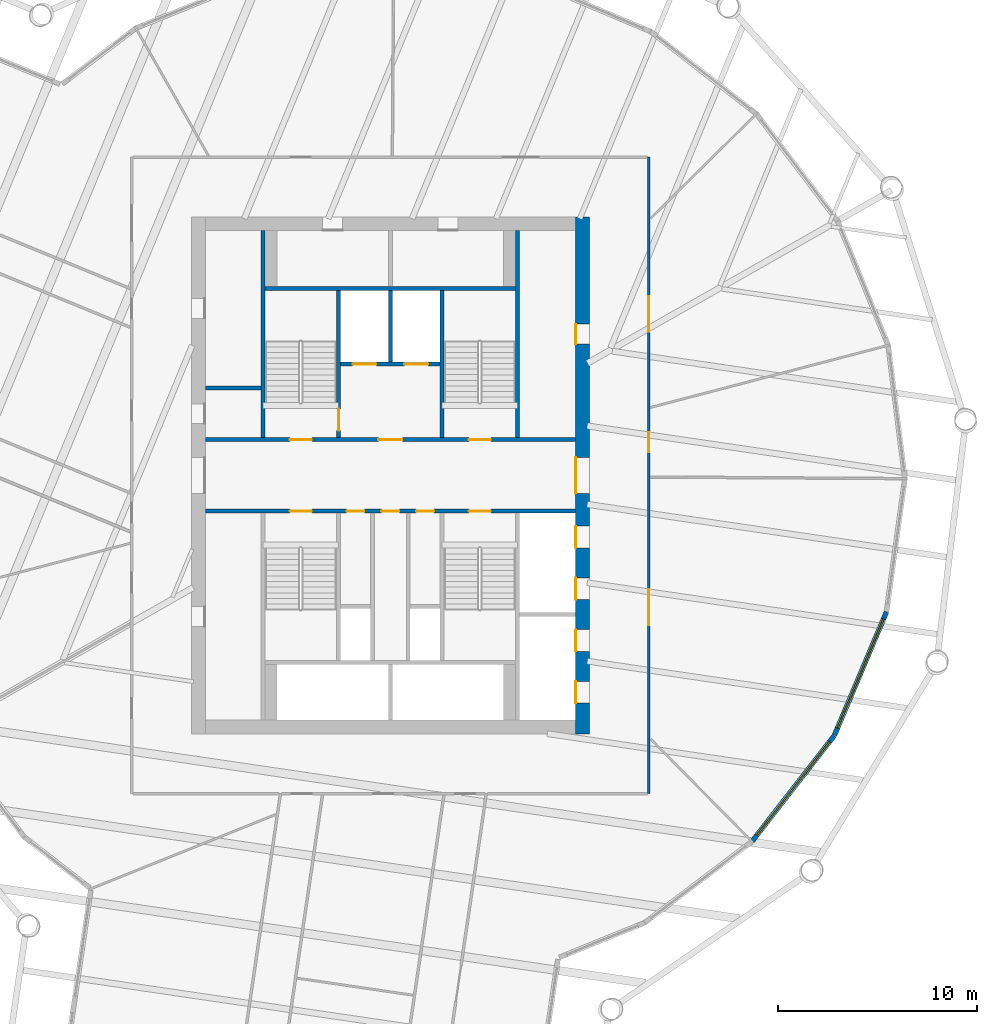
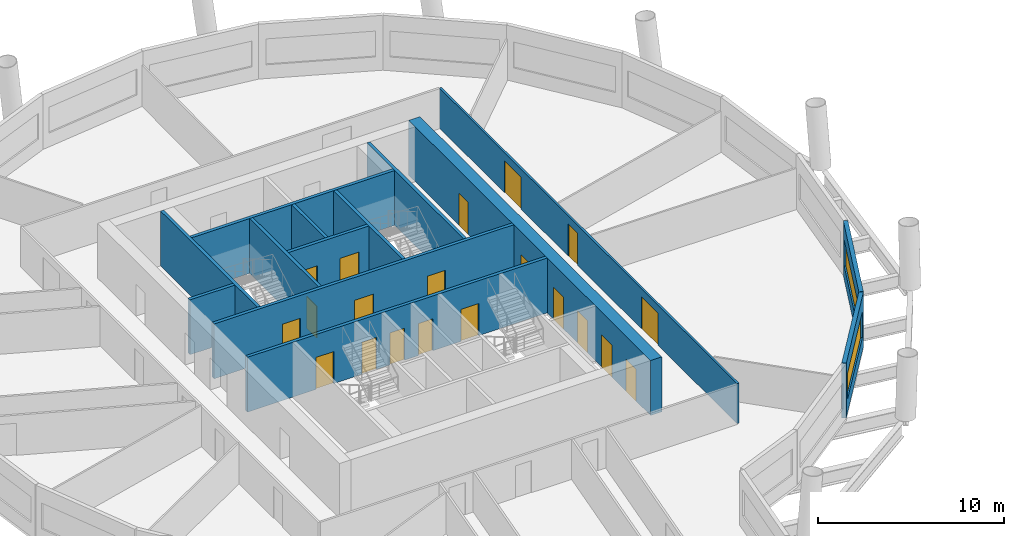
# One storey, part 5 of 11: 20 doors, 14 walls, 2 windows, 22 openings.
"""IFC4 building model written with IfcOpenShell, lengths in metres."""

from ifc_helpers import new_model, si_unit, direction, frame, frame_2d, origin, place, context, subcontext, project, spatial, rectangle, extrude, material, layer, layer_set, type_object, element, fill, save


model = new_model("IFC4")

# Units and contexts
model_context = context("Model", 3, precision=1e-05, world=origin(), true_north=direction((0.0, 1.0)))
body_context = subcontext(model_context, "Body", "Model", "MODEL_VIEW")
ifc_project = project(units=[si_unit("LENGTHUNIT", "METRE"), si_unit("AREAUNIT", "SQUARE_METRE"), si_unit("VOLUMEUNIT", "CUBIC_METRE"), si_unit("PLANEANGLEUNIT", "RADIAN"), si_unit("MASSUNIT", "GRAM", prefix="KILO")], contexts=[model_context])

# Site, building, storey
site_placement = place(None, origin())
site = spatial("IfcSite", under=ifc_project, at=site_placement, CompositionType="ELEMENT")
building_placement = place(site_placement, origin())
building = spatial("IfcBuilding", under=site, at=building_placement, Name="Tarsis Ring Headquarters", CompositionType="ELEMENT")
storey_placement = place(building_placement, frame((0.0, 0.0, 190.5)))
storey = spatial("IfcBuildingStorey", under=building, at=storey_placement, Name="L44", CompositionType="ELEMENT", Elevation=190.5)

# Wall
ifc_material_1 = material(Name="Blockwork", Category="masonry")
ifc_layer_1 = layer(ifc_material_1, 0.199951171875)
ifc_layer_set_1 = layer_set([ifc_layer_1], Name="Core blockwork wall 200")
wall_type_1 = type_object("IfcWallType", Name="Core blockwork wall 200", PredefinedType="PARTITIONING", material=ifc_layer_set_1)
wall_1_placement = place(storey_placement, frame((-9.300048828125, 4.39990234375, 0.0), z_axis=(0.0, 0.0, 1.0), x_axis=(1.0, 0.0, 0.0)))
element("IfcWall", 1, at=wall_1_placement, inside=storey, type_object=wall_type_1, Name="Core partition WD5", PredefinedType="PARTITIONING", context=body_context, shape_type="SweptSolid", body=[
    extrude(rectangle(XDim=2.800048828125, YDim=0.199951171875, at=frame_2d((1.39990234375, 0.0))), origin(), (0.0, 0.0, 1.0), 3.60009765625),
])

# Wall, openings, doors
ifc_material_2 = material(Name="Concrete C60/75", Category="concrete")
ifc_layer_2 = layer(ifc_material_2, 0.699951171875)
ifc_layer_set_2 = layer_set([ifc_layer_2], Name="Core wall 700 C60/75")
wall_type_2 = type_object("IfcWallType", Name="Core wall 700 C60/75", PredefinedType="SHEAR", material=ifc_layer_set_2)
wall_2_placement = place(storey_placement, frame((9.64990234375, -13.0, 0.0), z_axis=(0.0, 0.0, 1.0), x_axis=(0.0, 1.0, 0.0)))
wall_2 = element("IfcWall", 2, at=wall_2_placement, inside=storey, type_object=wall_type_2, Name="Core wall OE", PredefinedType="SHEAR", context=body_context, shape_type="SweptSolid", body=[
    extrude(rectangle(XDim=26.0, YDim=0.699951171875, at=frame_2d((13.0, 0.0))), origin(), (0.0, 0.0, 1.0), 3.60009765625),
])
opening_1_placement = place(wall_2_placement, frame((1.550048828125, 0.0, 0.0)))
opening_1 = element("IfcOpeningElement", 3, at=opening_1_placement, cuts=wall_2, Name="Opening LD-MR1", PredefinedType="OPENING", context=body_context, shape_type="SweptSolid", body=[
    extrude(rectangle(XDim=1.10009765625, YDim=2.10009765625, at=frame_2d((0.550048828125, 1.050048828125))), frame((0.0, 0.35986328125, 0.0), z_axis=(0.0, -1.0, 0.0), x_axis=(1.0, 0.0, 0.0)), (0.0, 0.0, 1.0), 0.719970703125),
])
opening_2_placement = place(wall_2_placement, frame((4.14990234375, 0.0, 0.0)))
opening_2 = element("IfcOpeningElement", 4, at=opening_2_placement, cuts=wall_2, Name="Opening LD-MR2", PredefinedType="OPENING", context=body_context, shape_type="SweptSolid", body=[
    extrude(rectangle(XDim=1.10009765625, YDim=2.10009765625, at=frame_2d((0.550048828125, 1.050048828125))), frame((0.0, 0.35986328125, 0.0), z_axis=(0.0, -1.0, 0.0), x_axis=(1.0, 0.0, 0.0)), (0.0, 0.0, 1.0), 0.719970703125),
])
opening_3_placement = place(wall_2_placement, frame((6.75, 0.0, 0.0)))
opening_3 = element("IfcOpeningElement", 5, at=opening_3_placement, cuts=wall_2, Name="Opening LD-MR3", PredefinedType="OPENING", context=body_context, shape_type="SweptSolid", body=[
    extrude(rectangle(XDim=1.10009765625, YDim=2.10009765625, at=frame_2d((0.550048828125, 1.050048828125))), frame((0.0, 0.35986328125, 0.0), z_axis=(0.0, -1.0, 0.0), x_axis=(1.0, 0.0, 0.0)), (0.0, 0.0, 1.0), 0.719970703125),
])
opening_4_placement = place(wall_2_placement, frame((9.35009765625, 0.0, 0.0)))
opening_4 = element("IfcOpeningElement", 6, at=opening_4_placement, cuts=wall_2, Name="Opening LD-MR4", PredefinedType="OPENING", context=body_context, shape_type="SweptSolid", body=[
    extrude(rectangle(XDim=1.10009765625, YDim=2.10009765625, at=frame_2d((0.550048828125, 1.050048828125))), frame((0.0, 0.35986328125, 0.0), z_axis=(0.0, -1.0, 0.0), x_axis=(1.0, 0.0, 0.0)), (0.0, 0.0, 1.0), 0.719970703125),
])
opening_5_placement = place(wall_2_placement, frame((12.10009765625, 0.0, 0.0)))
opening_5 = element("IfcOpeningElement", 7, at=opening_5_placement, cuts=wall_2, Name="Opening L44-C09", PredefinedType="OPENING", context=body_context, shape_type="SweptSolid", body=[
    extrude(rectangle(XDim=1.800048828125, YDim=2.10009765625, at=frame_2d((0.89990234375, 1.050048828125))), frame((0.0, 0.35986328125, 0.0), z_axis=(0.0, -1.0, 0.0), x_axis=(1.0, 0.0, 0.0)), (0.0, 0.0, 1.0), 0.719970703125),
])
opening_6_placement = place(wall_2_placement, frame((19.60009765625, 0.0, 0.0)))
opening_6 = element("IfcOpeningElement", 8, at=opening_6_placement, cuts=wall_2, Name="Opening L44-C10", PredefinedType="OPENING", context=body_context, shape_type="SweptSolid", body=[
    extrude(rectangle(XDim=1.0, YDim=2.10009765625, at=frame_2d((0.5, 1.050048828125))), frame((0.0, 0.35986328125, 0.0), z_axis=(0.0, -1.0, 0.0), x_axis=(1.0, 0.0, 0.0)), (0.0, 0.0, 1.0), 0.719970703125),
])
ifc_material_3 = material(Name="Steel S355", Category="steel")
door_type_1 = type_object("IfcDoorType", Name="Core entry door 1800x2100", OperationType="DOUBLE_DOOR_SINGLE_SWING", PredefinedType="DOOR", material=ifc_material_3)
door_1_placement = place(opening_5_placement, origin())
door_1 = element("IfcDoor", 9, at=door_1_placement, inside=storey, type_object=door_type_1, Name="Core entry door L44", OperationType="DOUBLE_DOOR_SINGLE_SWING", OverallHeight=2.10009765625, OverallWidth=1.800048828125, PredefinedType="DOOR", context=body_context, shape_type="SweptSolid", body=[
    extrude(rectangle(XDim=1.800048828125, YDim=2.10009765625, at=frame_2d((0.89990234375, 1.050048828125))), frame((0.0, 0.35009765625, 0.0), z_axis=(0.0, -1.0, 0.0), x_axis=(1.0, 0.0, 0.0)), (0.0, 0.0, 1.0), 0.050048828125),
])
fill(opening_5, door_1)
door_type_2 = type_object("IfcDoorType", Name="Core room door 1000x2100", OperationType="SINGLE_SWING_LEFT", PredefinedType="DOOR", material=ifc_material_3)
door_2_placement = place(opening_6_placement, origin())
door_2 = element("IfcDoor", 10, at=door_2_placement, inside=storey, type_object=door_type_2, Name="Core room door L44", OperationType="SINGLE_SWING_LEFT", OverallHeight=2.10009765625, OverallWidth=1.0, PredefinedType="DOOR", context=body_context, shape_type="SweptSolid", body=[
    extrude(rectangle(XDim=1.0, YDim=2.10009765625, at=frame_2d((0.5, 1.050048828125))), frame((0.0, 0.35009765625, 0.0), z_axis=(0.0, -1.0, 0.0), x_axis=(1.0, 0.0, 0.0)), (0.0, 0.0, 1.0), 0.050048828125),
])
fill(opening_6, door_2)
door_type_3 = type_object("IfcDoorType", Name="Landing door 1100x2100", OperationType="SLIDING_TO_LEFT", PredefinedType="DOOR", material=ifc_material_3)
door_3_placement = place(opening_1_placement, origin())
door_3 = element("IfcDoor", 11, at=door_3_placement, inside=storey, type_object=door_type_3, Name="Landing door MR1 L44", OperationType="SLIDING_TO_LEFT", OverallHeight=2.10009765625, OverallWidth=1.10009765625, PredefinedType="DOOR", context=body_context, shape_type="SweptSolid", body=[
    extrude(rectangle(XDim=1.10009765625, YDim=2.10009765625, at=frame_2d((0.550048828125, 1.050048828125))), frame((0.0, 0.35009765625, 0.0), z_axis=(0.0, -1.0, 0.0), x_axis=(1.0, 0.0, 0.0)), (0.0, 0.0, 1.0), 0.050048828125),
])
fill(opening_1, door_3)
door_4_placement = place(opening_2_placement, origin())
door_4 = element("IfcDoor", 12, at=door_4_placement, inside=storey, type_object=door_type_3, Name="Landing door MR2 L44", OperationType="SLIDING_TO_LEFT", OverallHeight=2.10009765625, OverallWidth=1.10009765625, PredefinedType="DOOR", context=body_context, shape_type="SweptSolid", body=[
    extrude(rectangle(XDim=1.10009765625, YDim=2.10009765625, at=frame_2d((0.550048828125, 1.050048828125))), frame((0.0, 0.35009765625, 0.0), z_axis=(0.0, -1.0, 0.0), x_axis=(1.0, 0.0, 0.0)), (0.0, 0.0, 1.0), 0.050048828125),
])
fill(opening_2, door_4)
door_5_placement = place(opening_3_placement, origin())
door_5 = element("IfcDoor", 13, at=door_5_placement, inside=storey, type_object=door_type_3, Name="Landing door MR3 L44", OperationType="SLIDING_TO_LEFT", OverallHeight=2.10009765625, OverallWidth=1.10009765625, PredefinedType="DOOR", context=body_context, shape_type="SweptSolid", body=[
    extrude(rectangle(XDim=1.10009765625, YDim=2.10009765625, at=frame_2d((0.550048828125, 1.050048828125))), frame((0.0, 0.35009765625, 0.0), z_axis=(0.0, -1.0, 0.0), x_axis=(1.0, 0.0, 0.0)), (0.0, 0.0, 1.0), 0.050048828125),
])
fill(opening_3, door_5)
door_6_placement = place(opening_4_placement, origin())
door_6 = element("IfcDoor", 14, at=door_6_placement, inside=storey, type_object=door_type_3, Name="Landing door MR4 L44", OperationType="SLIDING_TO_LEFT", OverallHeight=2.10009765625, OverallWidth=1.10009765625, PredefinedType="DOOR", context=body_context, shape_type="SweptSolid", body=[
    extrude(rectangle(XDim=1.10009765625, YDim=2.10009765625, at=frame_2d((0.550048828125, 1.050048828125))), frame((0.0, 0.35009765625, 0.0), z_axis=(0.0, -1.0, 0.0), x_axis=(1.0, 0.0, 0.0)), (0.0, 0.0, 1.0), 0.050048828125),
])
fill(opening_4, door_6)

ifc_material_4 = material(Name="Gypsum board on steel studs", Category="steel")
ifc_layer_3 = layer(ifc_material_4, 0.125)
ifc_layer_set_3 = layer_set([ifc_layer_3], Name="FL partition 125 EI 60 H2630")
wall_type_3 = type_object("IfcWallType", Name="FL partition 125 EI 60 H2630", PredefinedType="PARTITIONING", material=ifc_layer_set_3)
wall_3_placement = place(storey_placement, frame((13.0, -15.998046875, 0.0), z_axis=(0.0, 0.0, 1.0), x_axis=(0.0, 1.0, 0.0)))
wall_3 = element("IfcWall", 15, at=wall_3_placement, inside=storey, type_object=wall_type_3, Name="Partition PW1H263", PredefinedType="PARTITIONING", context=body_context, shape_type="SweptSolid", body=[
    extrude(rectangle(XDim=31.998046875, YDim=0.125, at=frame_2d((15.9990234375, 0.0))), origin(), (0.0, 0.0, 1.0), 2.6298828125),
])
opening_7_placement = place(wall_3_placement, frame((23.21484375, 0.0, 0.0)))
opening_7 = element("IfcOpeningElement", 16, at=opening_7_placement, cuts=wall_3, Name="Opening D44.06", PredefinedType="OPENING", context=body_context, shape_type="SweptSolid", body=[
    extrude(rectangle(XDim=1.800048828125, YDim=2.10009765625, at=frame_2d((0.89990234375, 1.050048828125))), frame((0.0, 0.072509765625, 0.0), z_axis=(0.0, -1.0, 0.0), x_axis=(1.0, 0.0, 0.0)), (0.0, 0.0, 1.0), 0.14501953125),
])
opening_8_placement = place(wall_3_placement, frame((17.155029296875, 0.0, 0.0)))
opening_8 = element("IfcOpeningElement", 17, at=opening_8_placement, cuts=wall_3, Name="Opening D44.07", PredefinedType="OPENING", context=body_context, shape_type="SweptSolid", body=[
    extrude(rectangle(XDim=1.0, YDim=2.10009765625, at=frame_2d((0.5, 1.050048828125))), frame((0.0, 0.072509765625, 0.0), z_axis=(0.0, -1.0, 0.0), x_axis=(1.0, 0.0, 0.0)), (0.0, 0.0, 1.0), 0.14501953125),
])
opening_9_placement = place(wall_3_placement, frame((8.47509765625, 0.0, 0.0)))
opening_9 = element("IfcOpeningElement", 18, at=opening_9_placement, cuts=wall_3, Name="Opening D44.08", PredefinedType="OPENING", context=body_context, shape_type="SweptSolid", body=[
    extrude(rectangle(XDim=1.800048828125, YDim=2.10009765625, at=frame_2d((0.89990234375, 1.050048828125))), frame((0.0, 0.072509765625, 0.0), z_axis=(0.0, -1.0, 0.0), x_axis=(1.0, 0.0, 0.0)), (0.0, 0.0, 1.0), 0.14501953125),
])
ifc_material_5 = material(Name="Fire-rated timber door leaf in steel frame", Category="steel")
door_type_4 = type_object("IfcDoorType", Name="FL door FD60-1000", OperationType="NOTDEFINED", PredefinedType="DOOR", material=ifc_material_5)
door_7_placement = place(opening_8_placement, origin())
door_7 = element("IfcDoor", 19, at=door_7_placement, inside=storey, type_object=door_type_4, Name="Door D44.07", OperationType="SINGLE_SWING_LEFT", OverallHeight=2.10009765625, OverallWidth=1.0, PredefinedType="DOOR", context=body_context, shape_type="SweptSolid", body=[
    extrude(rectangle(XDim=1.0, YDim=2.10009765625, at=frame_2d((0.5, 1.050048828125))), frame((0.0, 0.02490234375, 0.0), z_axis=(0.0, -1.0, 0.0), x_axis=(1.0, 0.0, 0.0)), (0.0, 0.0, 1.0), 0.050048828125),
])
fill(opening_8, door_7)
door_type_5 = type_object("IfcDoorType", Name="FL door FD60-1800", OperationType="DOUBLE_DOOR_SINGLE_SWING", PredefinedType="DOOR", material=ifc_material_5)
door_8_placement = place(opening_7_placement, origin())
door_8 = element("IfcDoor", 20, at=door_8_placement, inside=storey, type_object=door_type_5, Name="Door D44.06", OperationType="DOUBLE_DOOR_SINGLE_SWING", OverallHeight=2.10009765625, OverallWidth=1.800048828125, PredefinedType="DOOR", context=body_context, shape_type="SweptSolid", body=[
    extrude(rectangle(XDim=1.800048828125, YDim=2.10009765625, at=frame_2d((0.89990234375, 1.050048828125))), frame((0.0, 0.02490234375, 0.0), z_axis=(0.0, -1.0, 0.0), x_axis=(1.0, 0.0, 0.0)), (0.0, 0.0, 1.0), 0.050048828125),
])
fill(opening_7, door_8)
door_9_placement = place(opening_9_placement, origin())
door_9 = element("IfcDoor", 21, at=door_9_placement, inside=storey, type_object=door_type_5, Name="Door D44.08", OperationType="DOUBLE_DOOR_SINGLE_SWING", OverallHeight=2.10009765625, OverallWidth=1.800048828125, PredefinedType="DOOR", context=body_context, shape_type="SweptSolid", body=[
    extrude(rectangle(XDim=1.800048828125, YDim=2.10009765625, at=frame_2d((0.89990234375, 1.050048828125))), frame((0.0, 0.02490234375, 0.0), z_axis=(0.0, -1.0, 0.0), x_axis=(1.0, 0.0, 0.0)), (0.0, 0.0, 1.0), 0.050048828125),
])
fill(opening_9, door_9)

# Wall, opening, window
ifc_material_6 = material(Name="Terracotta clad insulated panel wall", Category="masonry")
ifc_layer_4 = layer(ifc_material_6, 0.25)
ifc_layer_set_4 = layer_set([ifc_layer_4], Name="Facade wall terracotta panel 250")
wall_type_4 = type_object("IfcWallType", Name="Facade wall terracotta panel 250", PredefinedType="STANDARD", material=ifc_layer_set_4)
wall_4_placement = place(storey_placement, frame((18.1904296875, -18.397216796875, 0.0), z_axis=(0.0, 0.0, 1.0), x_axis=(0.613741937725, 0.78950670287, 0.0)))
wall_4 = element("IfcWall", 22, at=wall_4_placement, inside=storey, type_object=wall_type_4, Name="External wall L44-19", PredefinedType="STANDARD", context=body_context, shape_type="SweptSolid", body=[
    extrude(rectangle(XDim=6.721435546875, YDim=0.25, at=frame_2d((3.36083984375, 0.0))), origin(), (0.0, 0.0, 1.0), 3.60009765625),
])
opening_10_placement = place(wall_4_placement, frame((0.3857421875, 0.0, 0.89990234375)))
opening_10 = element("IfcOpeningElement", 23, at=opening_10_placement, cuts=wall_4, Name="Opening WN07", PredefinedType="OPENING", context=body_context, shape_type="SweptSolid", body=[
    extrude(rectangle(XDim=5.949951171875, YDim=1.699951171875, at=frame_2d((2.97509765625, 0.85009765625))), frame((0.0, 0.135009765625, 0.0), z_axis=(0.0, -1.0, 0.0), x_axis=(1.0, 0.0, 0.0)), (0.0, 0.0, 1.0), 0.27001953125),
])
ifc_material_7 = material(Name="Aluminium framed double glazing", Category="aluminium")
window_type = type_object("IfcWindowType", Name="Facade window 5950 x 1700", PartitioningType="SINGLE_PANEL", PredefinedType="WINDOW", material=ifc_material_7)
window_1_placement = place(opening_10_placement, origin())
window_1 = element("IfcWindow", 24, at=window_1_placement, inside=storey, type_object=window_type, Name="Window L44-19.1", OverallHeight=1.699951171875, OverallWidth=5.949951171875, PartitioningType="SINGLE_PANEL", PredefinedType="WINDOW", context=body_context, shape_type="SweptSolid", body=[
    extrude(rectangle(XDim=5.949951171875, YDim=1.699951171875, at=frame_2d((2.97509765625, 0.85009765625))), frame((0.0, 0.030029296875, 0.0), z_axis=(0.0, -1.0, 0.0), x_axis=(1.0, 0.0, 0.0)), (0.0, 0.0, 1.0), 0.06005859375),
])
fill(opening_10, window_1)

wall_5_placement = place(storey_placement, frame((22.33203125, -13.062255859375, 0.0), z_axis=(0.0, 0.0, 1.0), x_axis=(0.388498629332, 0.921449301376, 0.0)))
wall_5 = element("IfcWall", 25, at=wall_5_placement, inside=storey, type_object=wall_type_4, Name="External wall L44-20", PredefinedType="STANDARD", context=body_context, shape_type="SweptSolid", body=[
    extrude(rectangle(XDim=6.7216796875, YDim=0.25, at=frame_2d((3.36083984375, 0.0))), origin(), (0.0, 0.0, 1.0), 3.60009765625),
])
opening_11_placement = place(wall_5_placement, frame((0.3857421875, 0.0, 0.89990234375)))
opening_11 = element("IfcOpeningElement", 26, at=opening_11_placement, cuts=wall_5, Name="Opening WN07", PredefinedType="OPENING", context=body_context, shape_type="SweptSolid", body=[
    extrude(rectangle(XDim=5.949951171875, YDim=1.699951171875, at=frame_2d((2.97509765625, 0.85009765625))), frame((0.0, 0.135009765625, 0.0), z_axis=(0.0, -1.0, 0.0), x_axis=(1.0, 0.0, 0.0)), (0.0, 0.0, 1.0), 0.27001953125),
])
window_2_placement = place(opening_11_placement, origin())
window_2 = element("IfcWindow", 27, at=window_2_placement, inside=storey, type_object=window_type, Name="Window L44-20.1", OverallHeight=1.699951171875, OverallWidth=5.949951171875, PartitioningType="SINGLE_PANEL", PredefinedType="WINDOW", context=body_context, shape_type="SweptSolid", body=[
    extrude(rectangle(XDim=5.949951171875, YDim=1.699951171875, at=frame_2d((2.97509765625, 0.85009765625))), frame((0.0, 0.030029296875, 0.0), z_axis=(0.0, -1.0, 0.0), x_axis=(1.0, 0.0, 0.0)), (0.0, 0.0, 1.0), 0.06005859375),
])
fill(opening_11, window_2)

# Wall, openings, doors
ifc_material_8 = material(Name="Concrete C32/40", Category="concrete")
ifc_layer_5 = layer(ifc_material_8, 0.199951171875)
ifc_layer_set_5 = layer_set([ifc_layer_5], Name="Shaft wall 200 C32/40")
wall_type_5 = type_object("IfcWallType", Name="Shaft wall 200 C32/40", PredefinedType="SOLIDWALL", material=ifc_layer_set_5)
wall_6_placement = place(storey_placement, frame((-9.300048828125, 1.800048828125, 0.0), z_axis=(0.0, 0.0, 1.0), x_axis=(1.0, 0.0, 0.0)))
wall_6 = element("IfcWall", 28, at=wall_6_placement, inside=storey, type_object=wall_type_5, Name="Core shaft wall CN", PredefinedType="SOLIDWALL", context=body_context, shape_type="SweptSolid", body=[
    extrude(rectangle(XDim=18.60009765625, YDim=0.199951171875, at=frame_2d((9.300048828125, 0.0))), origin(), (0.0, 0.0, 1.0), 3.60009765625),
])
opening_12_placement = place(wall_6_placement, frame((4.25, 0.0, 0.0)))
opening_12 = element("IfcOpeningElement", 29, at=opening_12_placement, cuts=wall_6, Name="Opening L44-C13", PredefinedType="OPENING", context=body_context, shape_type="SweptSolid", body=[
    extrude(rectangle(XDim=1.10009765625, YDim=2.10009765625, at=frame_2d((0.550048828125, 1.050048828125))), frame((0.0, 0.10986328125, 0.0), z_axis=(0.0, -1.0, 0.0), x_axis=(1.0, 0.0, 0.0)), (0.0, 0.0, 1.0), 0.219970703125),
])
opening_13_placement = place(wall_6_placement, frame((8.699951171875, 0.0, 0.0)))
opening_13 = element("IfcOpeningElement", 30, at=opening_13_placement, cuts=wall_6, Name="Opening L44-C14", PredefinedType="OPENING", context=body_context, shape_type="SweptSolid", body=[
    extrude(rectangle(XDim=1.199951171875, YDim=2.10009765625, at=frame_2d((0.60009765625, 1.050048828125))), frame((0.0, 0.10986328125, 0.0), z_axis=(0.0, -1.0, 0.0), x_axis=(1.0, 0.0, 0.0)), (0.0, 0.0, 1.0), 0.219970703125),
])
opening_14_placement = place(wall_6_placement, frame((13.25, 0.0, 0.0)))
opening_14 = element("IfcOpeningElement", 31, at=opening_14_placement, cuts=wall_6, Name="Opening L44-C15", PredefinedType="OPENING", context=body_context, shape_type="SweptSolid", body=[
    extrude(rectangle(XDim=1.10009765625, YDim=2.10009765625, at=frame_2d((0.550048828125, 1.050048828125))), frame((0.0, 0.10986328125, 0.0), z_axis=(0.0, -1.0, 0.0), x_axis=(1.0, 0.0, 0.0)), (0.0, 0.0, 1.0), 0.219970703125),
])
door_type_6 = type_object("IfcDoorType", Name="Firefighting lobby door 1200x2100", OperationType="DOUBLE_DOOR_SINGLE_SWING", PredefinedType="DOOR", material=ifc_material_3)
door_10_placement = place(opening_13_placement, origin())
door_10 = element("IfcDoor", 32, at=door_10_placement, inside=storey, type_object=door_type_6, Name="Firefighting lobby door L44", OperationType="DOUBLE_DOOR_SINGLE_SWING", OverallHeight=2.10009765625, OverallWidth=1.199951171875, PredefinedType="DOOR", context=body_context, shape_type="SweptSolid", body=[
    extrude(rectangle(XDim=1.199951171875, YDim=2.10009765625, at=frame_2d((0.60009765625, 1.050048828125))), frame((0.0, 0.02490234375, 0.0), z_axis=(0.0, -1.0, 0.0), x_axis=(1.0, 0.0, 0.0)), (0.0, 0.0, 1.0), 0.050048828125),
])
fill(opening_13, door_10)
door_type_7 = type_object("IfcDoorType", Name="Stair door 1100x2100", OperationType="SINGLE_SWING_LEFT", PredefinedType="DOOR", material=ifc_material_3)
door_11_placement = place(opening_12_placement, origin())
door_11 = element("IfcDoor", 33, at=door_11_placement, inside=storey, type_object=door_type_7, Name="Stair door L44", OperationType="SINGLE_SWING_LEFT", OverallHeight=2.10009765625, OverallWidth=1.10009765625, PredefinedType="DOOR", context=body_context, shape_type="SweptSolid", body=[
    extrude(rectangle(XDim=1.10009765625, YDim=2.10009765625, at=frame_2d((0.550048828125, 1.050048828125))), frame((0.0, 0.02490234375, 0.0), z_axis=(0.0, -1.0, 0.0), x_axis=(1.0, 0.0, 0.0)), (0.0, 0.0, 1.0), 0.050048828125),
])
fill(opening_12, door_11)
door_12_placement = place(opening_14_placement, origin())
door_12 = element("IfcDoor", 34, at=door_12_placement, inside=storey, type_object=door_type_7, Name="Stair door L44", OperationType="SINGLE_SWING_LEFT", OverallHeight=2.10009765625, OverallWidth=1.10009765625, PredefinedType="DOOR", context=body_context, shape_type="SweptSolid", body=[
    extrude(rectangle(XDim=1.10009765625, YDim=2.10009765625, at=frame_2d((0.550048828125, 1.050048828125))), frame((0.0, 0.02490234375, 0.0), z_axis=(0.0, -1.0, 0.0), x_axis=(1.0, 0.0, 0.0)), (0.0, 0.0, 1.0), 0.050048828125),
])
fill(opening_14, door_12)

wall_7_placement = place(storey_placement, frame((-9.300048828125, -1.800048828125, 0.0), z_axis=(0.0, 0.0, 1.0), x_axis=(1.0, 0.0, 0.0)))
wall_7 = element("IfcWall", 35, at=wall_7_placement, inside=storey, type_object=wall_type_5, Name="Core shaft wall CS", PredefinedType="SOLIDWALL", context=body_context, shape_type="SweptSolid", body=[
    extrude(rectangle(XDim=18.60009765625, YDim=0.199951171875, at=frame_2d((9.300048828125, 0.0))), origin(), (0.0, 0.0, 1.0), 3.60009765625),
])
opening_15_placement = place(wall_7_placement, frame((4.25, 0.0, 0.0)))
opening_15 = element("IfcOpeningElement", 36, at=opening_15_placement, cuts=wall_7, Name="Opening L44-C16", PredefinedType="OPENING", context=body_context, shape_type="SweptSolid", body=[
    extrude(rectangle(XDim=1.10009765625, YDim=2.10009765625, at=frame_2d((0.550048828125, 1.050048828125))), frame((0.0, 0.10986328125, 0.0), z_axis=(0.0, -1.0, 0.0), x_axis=(1.0, 0.0, 0.0)), (0.0, 0.0, 1.0), 0.219970703125),
])
opening_16_placement = place(wall_7_placement, frame((7.10009765625, 0.0, 0.0)))
opening_16 = element("IfcOpeningElement", 37, at=opening_16_placement, cuts=wall_7, Name="Opening L44-C17", PredefinedType="OPENING", context=body_context, shape_type="SweptSolid", body=[
    extrude(rectangle(XDim=0.89990234375, YDim=2.10009765625, at=frame_2d((0.449951171875, 1.050048828125))), frame((0.0, 0.10986328125, 0.0), z_axis=(0.0, -1.0, 0.0), x_axis=(1.0, 0.0, 0.0)), (0.0, 0.0, 1.0), 0.219970703125),
])
opening_17_placement = place(wall_7_placement, frame((8.85009765625, 0.0, 0.0)))
opening_17 = element("IfcOpeningElement", 38, at=opening_17_placement, cuts=wall_7, Name="Opening L44-C18", PredefinedType="OPENING", context=body_context, shape_type="SweptSolid", body=[
    extrude(rectangle(XDim=0.89990234375, YDim=2.10009765625, at=frame_2d((0.449951171875, 1.050048828125))), frame((0.0, 0.10986328125, 0.0), z_axis=(0.0, -1.0, 0.0), x_axis=(1.0, 0.0, 0.0)), (0.0, 0.0, 1.0), 0.219970703125),
])
opening_18_placement = place(wall_7_placement, frame((10.60009765625, 0.0, 0.0)))
opening_18 = element("IfcOpeningElement", 39, at=opening_18_placement, cuts=wall_7, Name="Opening L44-C19", PredefinedType="OPENING", context=body_context, shape_type="SweptSolid", body=[
    extrude(rectangle(XDim=0.89990234375, YDim=2.10009765625, at=frame_2d((0.449951171875, 1.050048828125))), frame((0.0, 0.10986328125, 0.0), z_axis=(0.0, -1.0, 0.0), x_axis=(1.0, 0.0, 0.0)), (0.0, 0.0, 1.0), 0.219970703125),
])
opening_19_placement = place(wall_7_placement, frame((13.25, 0.0, 0.0)))
opening_19 = element("IfcOpeningElement", 40, at=opening_19_placement, cuts=wall_7, Name="Opening L44-C20", PredefinedType="OPENING", context=body_context, shape_type="SweptSolid", body=[
    extrude(rectangle(XDim=1.10009765625, YDim=2.10009765625, at=frame_2d((0.550048828125, 1.050048828125))), frame((0.0, 0.10986328125, 0.0), z_axis=(0.0, -1.0, 0.0), x_axis=(1.0, 0.0, 0.0)), (0.0, 0.0, 1.0), 0.219970703125),
])
door_13_placement = place(opening_15_placement, origin())
door_13 = element("IfcDoor", 41, at=door_13_placement, inside=storey, type_object=door_type_7, Name="Stair door L44", OperationType="SINGLE_SWING_LEFT", OverallHeight=2.10009765625, OverallWidth=1.10009765625, PredefinedType="DOOR", context=body_context, shape_type="SweptSolid", body=[
    extrude(rectangle(XDim=1.10009765625, YDim=2.10009765625, at=frame_2d((0.550048828125, 1.050048828125))), frame((0.0, 0.02490234375, 0.0), z_axis=(0.0, -1.0, 0.0), x_axis=(1.0, 0.0, 0.0)), (0.0, 0.0, 1.0), 0.050048828125),
])
fill(opening_15, door_13)
door_14_placement = place(opening_19_placement, origin())
door_14 = element("IfcDoor", 42, at=door_14_placement, inside=storey, type_object=door_type_7, Name="Stair door L44", OperationType="SINGLE_SWING_LEFT", OverallHeight=2.10009765625, OverallWidth=1.10009765625, PredefinedType="DOOR", context=body_context, shape_type="SweptSolid", body=[
    extrude(rectangle(XDim=1.10009765625, YDim=2.10009765625, at=frame_2d((0.550048828125, 1.050048828125))), frame((0.0, 0.02490234375, 0.0), z_axis=(0.0, -1.0, 0.0), x_axis=(1.0, 0.0, 0.0)), (0.0, 0.0, 1.0), 0.050048828125),
])
fill(opening_19, door_14)
door_type_8 = type_object("IfcDoorType", Name="WC door 900x2100", OperationType="SINGLE_SWING_LEFT", PredefinedType="DOOR", material=ifc_material_3)
door_15_placement = place(opening_16_placement, origin())
door_15 = element("IfcDoor", 43, at=door_15_placement, inside=storey, type_object=door_type_8, Name="WC door L44", OperationType="SINGLE_SWING_LEFT", OverallHeight=2.10009765625, OverallWidth=0.89990234375, PredefinedType="DOOR", context=body_context, shape_type="SweptSolid", body=[
    extrude(rectangle(XDim=0.89990234375, YDim=2.10009765625, at=frame_2d((0.449951171875, 1.050048828125))), frame((0.0, 0.02490234375, 0.0), z_axis=(0.0, -1.0, 0.0), x_axis=(1.0, 0.0, 0.0)), (0.0, 0.0, 1.0), 0.050048828125),
])
fill(opening_16, door_15)
door_16_placement = place(opening_17_placement, origin())
door_16 = element("IfcDoor", 44, at=door_16_placement, inside=storey, type_object=door_type_8, Name="WC door L44", OperationType="SINGLE_SWING_LEFT", OverallHeight=2.10009765625, OverallWidth=0.89990234375, PredefinedType="DOOR", context=body_context, shape_type="SweptSolid", body=[
    extrude(rectangle(XDim=0.89990234375, YDim=2.10009765625, at=frame_2d((0.449951171875, 1.050048828125))), frame((0.0, 0.02490234375, 0.0), z_axis=(0.0, -1.0, 0.0), x_axis=(1.0, 0.0, 0.0)), (0.0, 0.0, 1.0), 0.050048828125),
])
fill(opening_17, door_16)
door_17_placement = place(opening_18_placement, origin())
door_17 = element("IfcDoor", 45, at=door_17_placement, inside=storey, type_object=door_type_8, Name="WC door L44", OperationType="SINGLE_SWING_LEFT", OverallHeight=2.10009765625, OverallWidth=0.89990234375, PredefinedType="DOOR", context=body_context, shape_type="SweptSolid", body=[
    extrude(rectangle(XDim=0.89990234375, YDim=2.10009765625, at=frame_2d((0.449951171875, 1.050048828125))), frame((0.0, 0.02490234375, 0.0), z_axis=(0.0, -1.0, 0.0), x_axis=(1.0, 0.0, 0.0)), (0.0, 0.0, 1.0), 0.050048828125),
])
fill(opening_18, door_17)

# Walls
for number, where, z_axis, x_axis, name in (
    (46, (-6.39990234375, 1.89990234375, 0.0), (0.0, 0.0, 1.0), (0.0, 1.0, 0.0), "Core shaft wall WB2"),
    (47, (6.39990234375, 1.89990234375, 0.0), (0.0, 0.0, 1.0), (0.0, 1.0, 0.0), "Core shaft wall EB2"),
):
    element("IfcWall", number, at=place(storey_placement, frame(where, z_axis=z_axis, x_axis=x_axis)), inside=storey, type_object=wall_type_5, Name=name, PredefinedType="SOLIDWALL", context=body_context, shape_type="SweptSolid", body=[
        extrude(rectangle(XDim=10.400146484375, YDim=0.199951171875, at=frame_2d((5.2001953125, 0.0))), origin(), (0.0, 0.0, 1.0), 3.60009765625),
    ])
wall_8_placement = place(storey_placement, frame((-6.300048828125, 9.39990234375, 0.0), z_axis=(0.0, 0.0, 1.0), x_axis=(1.0, 0.0, 0.0)))
element("IfcWall", 48, at=wall_8_placement, inside=storey, type_object=wall_type_5, Name="Core shaft wall NB", PredefinedType="SOLIDWALL", context=body_context, shape_type="SweptSolid", body=[
    extrude(rectangle(XDim=12.60009765625, YDim=0.199951171875, at=frame_2d((6.300048828125, 0.0))), origin(), (0.0, 0.0, 1.0), 3.60009765625),
])

# Wall, opening, door
wall_9_placement = place(storey_placement, frame((-2.60009765625, 1.89990234375, 0.0), z_axis=(0.0, 0.0, 1.0), x_axis=(0.0, 1.0, 0.0)))
wall_9 = element("IfcWall", 49, at=wall_9_placement, inside=storey, type_object=wall_type_5, Name="Core shaft wall SW1", PredefinedType="SOLIDWALL", context=body_context, shape_type="SweptSolid", body=[
    extrude(rectangle(XDim=7.400146484375, YDim=0.199951171875, at=frame_2d((3.7001953125, 0.0))), origin(), (0.0, 0.0, 1.0), 3.60009765625),
])
opening_20_placement = place(wall_9_placement, frame((0.35009765625, 0.0, 0.0)))
opening_20 = element("IfcOpeningElement", 50, at=opening_20_placement, cuts=wall_9, Name="Opening L44-C21", PredefinedType="OPENING", context=body_context, shape_type="SweptSolid", body=[
    extrude(rectangle(XDim=1.10009765625, YDim=2.10009765625, at=frame_2d((0.550048828125, 1.050048828125))), frame((0.0, 0.10986328125, 0.0), z_axis=(0.0, -1.0, 0.0), x_axis=(1.0, 0.0, 0.0)), (0.0, 0.0, 1.0), 0.219970703125),
])
door_18_placement = place(opening_20_placement, origin())
door_18 = element("IfcDoor", 51, at=door_18_placement, inside=storey, type_object=door_type_7, Name="Stair door L44", OperationType="SINGLE_SWING_LEFT", OverallHeight=2.10009765625, OverallWidth=1.10009765625, PredefinedType="DOOR", context=body_context, shape_type="SweptSolid", body=[
    extrude(rectangle(XDim=1.10009765625, YDim=2.10009765625, at=frame_2d((0.550048828125, 1.050048828125))), frame((0.0, 0.02490234375, 0.0), z_axis=(0.0, -1.0, 0.0), x_axis=(1.0, 0.0, 0.0)), (0.0, 0.0, 1.0), 0.050048828125),
])
fill(opening_20, door_18)

# Wall
wall_10_placement = place(storey_placement, frame((2.60009765625, 1.89990234375, 0.0), z_axis=(0.0, 0.0, 1.0), x_axis=(0.0, 1.0, 0.0)))
element("IfcWall", 52, at=wall_10_placement, inside=storey, type_object=wall_type_5, Name="Core shaft wall SW2", PredefinedType="SOLIDWALL", context=body_context, shape_type="SweptSolid", body=[
    extrude(rectangle(XDim=7.400146484375, YDim=0.199951171875, at=frame_2d((3.7001953125, 0.0))), origin(), (0.0, 0.0, 1.0), 3.60009765625),
])

# Wall, openings, doors
wall_11_placement = place(storey_placement, frame((-2.5, 5.60009765625, 0.0), z_axis=(0.0, 0.0, 1.0), x_axis=(1.0, 0.0, 0.0)))
wall_11 = element("IfcWall", 53, at=wall_11_placement, inside=storey, type_object=wall_type_5, Name="Core shaft wall FFN", PredefinedType="SOLIDWALL", context=body_context, shape_type="SweptSolid", body=[
    extrude(rectangle(XDim=5.0, YDim=0.199951171875, at=frame_2d((2.5, 0.0))), origin(), (0.0, 0.0, 1.0), 3.60009765625),
])
opening_21_placement = place(wall_11_placement, frame((0.60009765625, 0.0, 0.0)))
opening_21 = element("IfcOpeningElement", 54, at=opening_21_placement, cuts=wall_11, Name="Opening LDF-1", PredefinedType="OPENING", context=body_context, shape_type="SweptSolid", body=[
    extrude(rectangle(XDim=1.199951171875, YDim=2.10009765625, at=frame_2d((0.60009765625, 1.050048828125))), frame((0.0, 0.10986328125, 0.0), z_axis=(0.0, -1.0, 0.0), x_axis=(1.0, 0.0, 0.0)), (0.0, 0.0, 1.0), 0.219970703125),
])
opening_22_placement = place(wall_11_placement, frame((3.199951171875, 0.0, 0.0)))
opening_22 = element("IfcOpeningElement", 55, at=opening_22_placement, cuts=wall_11, Name="Opening LDF-2", PredefinedType="OPENING", context=body_context, shape_type="SweptSolid", body=[
    extrude(rectangle(XDim=1.199951171875, YDim=2.10009765625, at=frame_2d((0.60009765625, 1.050048828125))), frame((0.0, 0.10986328125, 0.0), z_axis=(0.0, -1.0, 0.0), x_axis=(1.0, 0.0, 0.0)), (0.0, 0.0, 1.0), 0.219970703125),
])
door_type_9 = type_object("IfcDoorType", Name="Firefighting landing door 1200x2100", OperationType="SLIDING_TO_LEFT", PredefinedType="DOOR", material=ifc_material_3)
door_19_placement = place(opening_21_placement, origin())
door_19 = element("IfcDoor", 56, at=door_19_placement, inside=storey, type_object=door_type_9, Name="Landing door FF1 L44", OperationType="SLIDING_TO_LEFT", OverallHeight=2.10009765625, OverallWidth=1.199951171875, PredefinedType="DOOR", context=body_context, shape_type="SweptSolid", body=[
    extrude(rectangle(XDim=1.199951171875, YDim=2.10009765625, at=frame_2d((0.60009765625, 1.050048828125))), frame((0.0, 0.02490234375, 0.0), z_axis=(0.0, -1.0, 0.0), x_axis=(1.0, 0.0, 0.0)), (0.0, 0.0, 1.0), 0.050048828125),
])
fill(opening_21, door_19)
door_20_placement = place(opening_22_placement, origin())
door_20 = element("IfcDoor", 57, at=door_20_placement, inside=storey, type_object=door_type_9, Name="Landing door FF2 L44", OperationType="SLIDING_TO_LEFT", OverallHeight=2.10009765625, OverallWidth=1.199951171875, PredefinedType="DOOR", context=body_context, shape_type="SweptSolid", body=[
    extrude(rectangle(XDim=1.199951171875, YDim=2.10009765625, at=frame_2d((0.60009765625, 1.050048828125))), frame((0.0, 0.02490234375, 0.0), z_axis=(0.0, -1.0, 0.0), x_axis=(1.0, 0.0, 0.0)), (0.0, 0.0, 1.0), 0.050048828125),
])
fill(opening_22, door_20)

# Wall
wall_12_placement = place(storey_placement, frame((0.0, 5.699951171875, 0.0), z_axis=(0.0, 0.0, 1.0), x_axis=(0.0, 1.0, 0.0)))
element("IfcWall", 58, at=wall_12_placement, inside=storey, type_object=wall_type_5, Name="Core shaft wall FFD", PredefinedType="SOLIDWALL", context=body_context, shape_type="SweptSolid", body=[
    extrude(rectangle(XDim=3.60009765625, YDim=0.199951171875, at=frame_2d((1.800048828125, 0.0))), origin(), (0.0, 0.0, 1.0), 3.60009765625),
])

save(model, "model.ifc")
